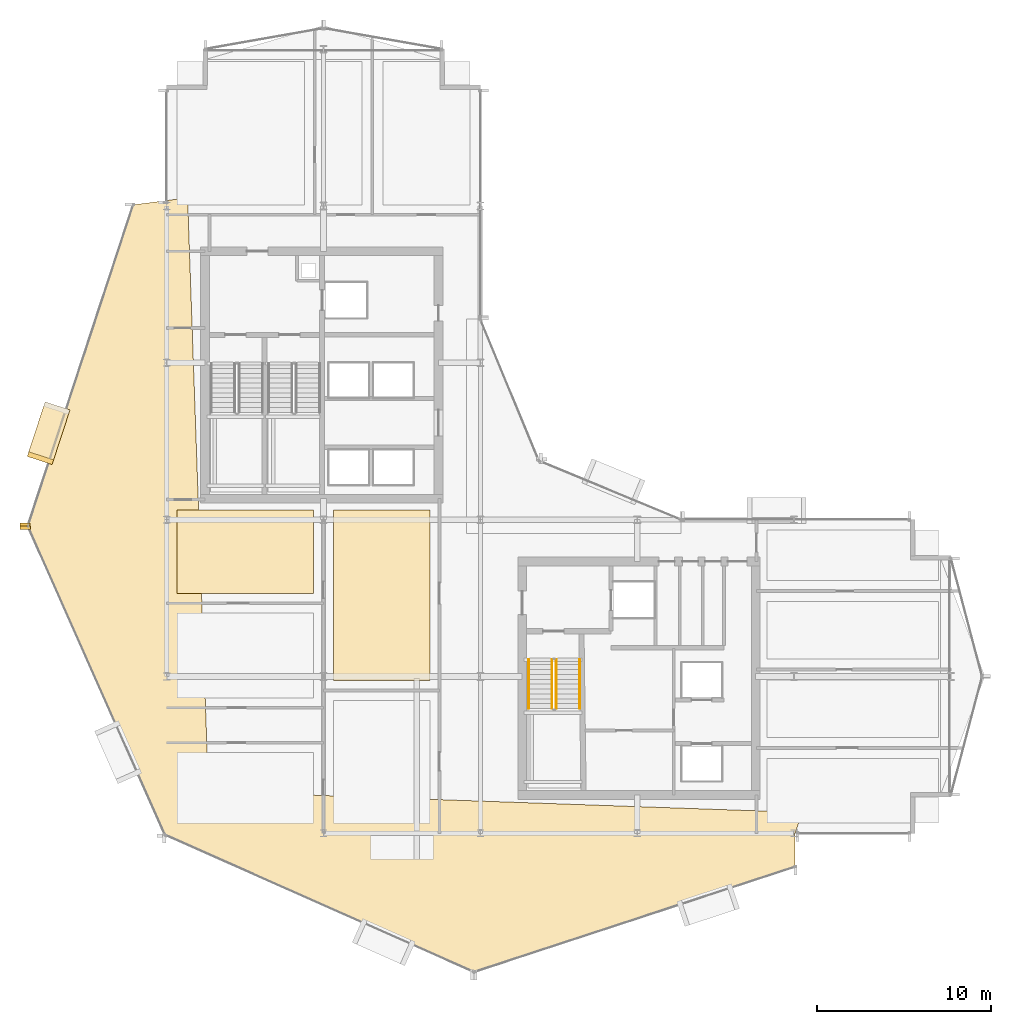
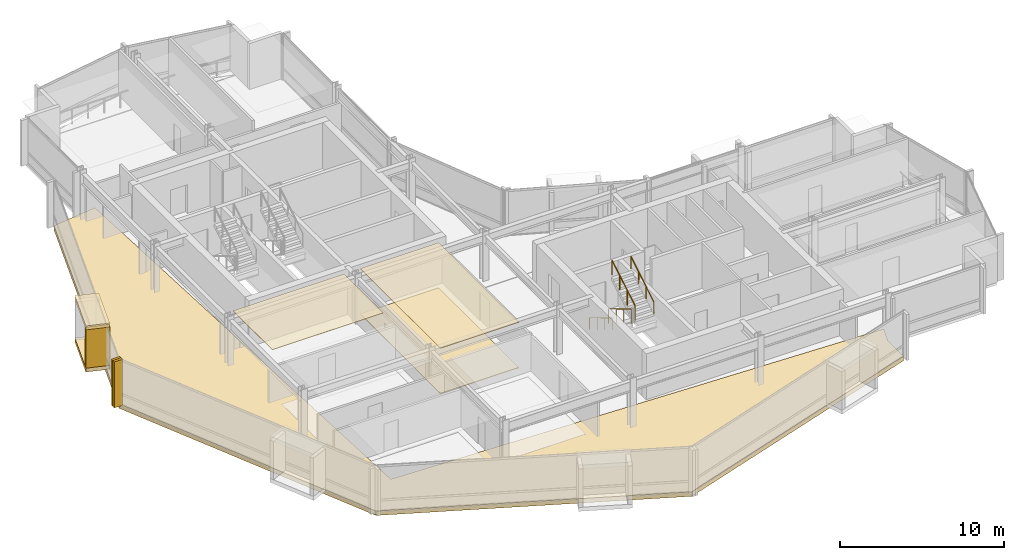
# One storey, part 26 of 29: 9 coverings, 4 railings.
"""IFC4 building model written with IfcOpenShell, lengths in metres."""

from ifc_helpers import new_model, si_unit, direction, frame, origin, origin_2d, place, context, subcontext, project, spatial, polyline, rectangle, circle, outline, extrude, material, layer, layer_set, type_object, element, save


model = new_model("IFC4")

# Units and contexts
model_context = context("Model", 3, precision=1e-05, world=origin(), true_north=direction((0.0, 1.0)))
body_context = subcontext(model_context, "Body", "Model", "MODEL_VIEW")
ifc_project = project(units=[si_unit("LENGTHUNIT", "METRE"), si_unit("AREAUNIT", "SQUARE_METRE"), si_unit("VOLUMEUNIT", "CUBIC_METRE"), si_unit("PLANEANGLEUNIT", "RADIAN"), si_unit("MASSUNIT", "GRAM", prefix="KILO")], contexts=[model_context])

# Site, building, storey
site_placement = place(None, origin())
site = spatial("IfcSite", under=ifc_project, at=site_placement, CompositionType="ELEMENT")
building_placement = place(site_placement, origin())
building = spatial("IfcBuilding", under=site, at=building_placement, Name="Solvaryn Broadcast Tower", CompositionType="ELEMENT")
storey_placement = place(building_placement, frame((0.0, 0.0, 147.0)))
storey = spatial("IfcBuildingStorey", under=building, at=storey_placement, Name="L36", CompositionType="ELEMENT", Elevation=147.0)

# Coverings
ifc_material_1 = material(Name="Micro-Perforated Acoustic Gypsum Ceiling", Category="concrete")
ifc_layer_1 = layer(ifc_material_1, 0.0400390625)
ifc_layer_set_1 = layer_set([ifc_layer_1], Name="CV-CEIL-ACOUSTIC")
covering_type_1 = type_object("IfcCoveringType", Name="CV-CEIL-ACOUSTIC", PredefinedType="CEILING", material=ifc_layer_set_1)
covering_1_placement = place(storey_placement, frame((0.0, 0.0, 3.3798828125)))
element("IfcCovering", 1, at=covering_1_placement, inside=storey, type_object=covering_type_1, Name="L36 Room Acoustic Ceiling 2", PredefinedType="CEILING", context=body_context, shape_type="SweptSolid", body=[
    extrude(outline(polyline([(18.570068359375, 17.77001953125), (24.10009765625, 17.77001953125), (24.10009765625, 27.56005859375), (18.570068359375, 27.56005859375), (18.570068359375, 17.77001953125)])), origin(), (0.0, 0.0, 1.0), 0.0400390625),
])
covering_2_placement = place(storey_placement, frame((0.0, 0.0, 3.3798828125)))
element("IfcCovering", 2, at=covering_2_placement, inside=storey, type_object=covering_type_1, Name="L36 Room Acoustic Ceiling 5", PredefinedType="CEILING", context=body_context, shape_type="SweptSolid", body=[
    extrude(outline(polyline([(9.60009765625, 22.77001953125), (17.429931640625, 22.77001953125), (17.429931640625, 27.56005859375), (9.60009765625, 27.56005859375), (9.60009765625, 22.77001953125)])), origin(), (0.0, 0.0, 1.0), 0.0400390625),
])
ifc_material_2 = material(Name="Newsroom Raised Data Access Flooring", Category="steel")
ifc_layer_2 = layer(ifc_material_2, 0.050048828125)
ifc_layer_set_2 = layer_set([ifc_layer_2], Name="CV-FLOOR-RAISED")
covering_type_2 = type_object("IfcCoveringType", Name="CV-FLOOR-RAISED", PredefinedType="FLOORING", material=ifc_layer_set_2)
covering_3_placement = place(storey_placement, origin())
element("IfcCovering", 3, at=covering_3_placement, inside=storey, type_object=covering_type_2, Name="L36 Room Acoustic Floor Finish 2", PredefinedType="FLOORING", context=body_context, shape_type="SweptSolid", body=[
    extrude(outline(polyline([(18.570068359375, 17.77001953125), (24.10009765625, 17.77001953125), (24.10009765625, 27.56005859375), (18.570068359375, 27.56005859375), (18.570068359375, 17.77001953125)])), origin(), (0.0, 0.0, 1.0), 0.050048828125),
])
ifc_material_3 = material(Name="Glazed Architectural Terracotta Rainscreen Cladding", Category="masonry")
ifc_layer_3 = layer(ifc_material_3, 0.280029296875)
ifc_layer_set_3 = layer_set([ifc_layer_3], Name="CV-TC-CLAD")
covering_type_3 = type_object("IfcCoveringType", Name="CV-TC-CLAD", PredefinedType="CLADDING", material=ifc_layer_set_3)
for number, where, z_axis, x_axis, name in (
    (4, (2.222900390625, 31.9619140625, 3.1298828125), (0.0, 0.0, 1.0), (-0.311671636848, -0.950189870912, 0.0), "L36 Projecting Stone Window Box Hood 1"),
    (5, (2.222900390625, 31.9619140625, -0.01025390625), (0.0, 0.0, 1.0), (-0.311671636848, -0.950189870912, 0.0), "L36 Projecting Stone Window Box Sill 1"),
):
    element("IfcCovering", number, at=place(storey_placement, frame(where, z_axis=z_axis, x_axis=x_axis)), inside=storey, type_object=covering_type_3, Name=name, PredefinedType="CLADDING", context=body_context, shape_type="SweptSolid", body=[
        extrude(rectangle(XDim=3.300048828125, YDim=1.5, at=origin_2d()), origin(), (0.0, 0.0, 1.0), 0.300048828125),
    ])
covering_4_placement = place(storey_placement, frame((1.75244140625, 30.527099609375, 0.27978515625), z_axis=(0.0, 0.0, 1.0), x_axis=(-0.311671636848, -0.950189870912, 0.0)))
element("IfcCovering", 6, at=covering_4_placement, inside=storey, type_object=covering_type_3, Name="L36 Projecting Stone Window Box Cheek 1-2", PredefinedType="CLADDING", context=body_context, shape_type="SweptSolid", body=[
    extrude(rectangle(XDim=0.280029296875, YDim=1.5, at=origin_2d()), origin(), (0.0, 0.0, 1.0), 2.860107421875),
])
ifc_material_4 = material(Name="Extruded Architectural Terracotta Fin", Category="masonry")
ifc_layer_4 = layer(ifc_material_4, 0.179931640625)
ifc_layer_set_4 = layer_set([ifc_layer_4], Name="CV-TC-FIN")
covering_type_4 = type_object("IfcCoveringType", Name="CV-TC-FIN", PredefinedType="USERDEFINED", material=ifc_layer_set_4)
for number, where, z_axis, x_axis, name in (
    (7, (0.872314453125, 26.720703125, 0.0), (0.0, 0.0, 1.0), (1.0, 0.0, 0.0), "L36 Terracotta Vertical Fin FIN-L36-DR1-M01"),
    (8, (0.8818359375, 26.535888671875, 0.0), (0.0, 0.0, 1.0), (1.0, 0.0, 0.0), "L36 Terracotta Vertical Fin FIN-L36-DR2-M00"),
):
    element("IfcCovering", number, at=place(storey_placement, frame(where, z_axis=z_axis, x_axis=x_axis)), inside=storey, type_object=covering_type_4, Name=name, ObjectType="FIN", PredefinedType="USERDEFINED", context=body_context, shape_type="SweptSolid", body=[
        extrude(rectangle(XDim=0.580078125, YDim=0.179931640625, at=origin_2d()), origin(), (0.0, 0.0, 1.0), 3.419921875),
    ])
ifc_material_5 = material(Name="Sculpted Architectural Terracotta Wave Fascia", Category="masonry")
ifc_layer_5 = layer(ifc_material_5, 0.340087890625)
ifc_layer_set_5 = layer_set([ifc_layer_5], Name="CV-WAVE-TRAY")
covering_type_5 = type_object("IfcCoveringType", Name="CV-WAVE-TRAY", PredefinedType="CLADDING", material=ifc_layer_set_5)
covering_5_placement = place(storey_placement, frame((0.0, 0.0, -0.300048828125)))
element("IfcCovering", 9, at=covering_5_placement, inside=storey, type_object=covering_type_5, Name="L36 Stepped Cylindrical Drum Floor Apron", PredefinedType="CLADDING", context=body_context, shape_type="SweptSolid", body=[
    extrude(outline(polyline([(10.199951171875, 45.467041015625), (7.0791015625, 45.06689453125), (1.033935546875, 26.635986328125), (8.907958984375, 8.907958984375), (26.635986328125, 1.033935546875), (45.06689453125, 7.0791015625), (45.06689453125, 9.0), (45.467041015625, 10.199951171875), (11.39990234375, 11.39990234375), (10.199951171875, 45.467041015625)])), origin(), (0.0, 0.0, 1.0), 0.330078125),
])

# Railings
ifc_material_6 = material(Name="Painted Steel Stair Well Guard", Category="steel")
railing_type_1 = type_object("IfcRailingType", Name="RL-STAIR-GUARD", PredefinedType="BALUSTRADE", material=ifc_material_6)
railing_1_placement = place(storey_placement, frame((31.110107421875, 18.9599609375, 0.168212890625)))
element("IfcRailing", 10, at=railing_1_placement, inside=storey, type_object=railing_type_1, Name="L36 ST3 stair guard 1", PredefinedType="BALUSTRADE", context=body_context, shape_type="SweptSolid", body=[
    extrude(circle(Radius=0.02392578125, at=origin_2d()), frame((0.0, 0.0, 1.076171875), z_axis=(0.0, -0.857242210791, 0.514913383045), x_axis=(1.0, 0.0, 0.0)), (0.0, 0.0, 1.0), 3.266357421875),
    extrude(circle(Radius=0.02099609375, at=origin_2d()), origin(), (0.0, 0.0, 1.0), 1.052001953125),
    extrude(circle(Radius=0.02099609375, at=origin_2d()), frame((0.0, -0.933349609375, 0.560546875)), (0.0, 0.0, 1.0), 1.052001953125),
    extrude(circle(Radius=0.02099609375, at=origin_2d()), frame((0.0, -1.86669921875, 1.121337890625)), (0.0, 0.0, 1.0), 1.052001953125),
    extrude(circle(Radius=0.02099609375, at=origin_2d()), frame((0.0, -2.800048828125, 1.681884765625)), (0.0, 0.0, 1.0), 1.052001953125),
])
railing_2_placement = place(storey_placement, frame((31.360107421875, 16.159912109375, 2.01806640625)))
element("IfcRailing", 11, at=railing_2_placement, inside=storey, type_object=railing_type_1, Name="L36 ST3 stair guard 3", PredefinedType="BALUSTRADE", context=body_context, shape_type="SweptSolid", body=[
    extrude(circle(Radius=0.02392578125, at=origin_2d()), frame((0.0, 0.0, 1.076171875), z_axis=(0.0, 0.857242210791, 0.514913383045), x_axis=(-1.0, 0.0, 0.0)), (0.0, 0.0, 1.0), 3.266357421875),
    extrude(circle(Radius=0.02099609375, at=origin_2d()), origin(), (0.0, 0.0, 1.0), 1.052001953125),
    extrude(circle(Radius=0.02099609375, at=origin_2d()), frame((0.0, 0.933349609375, 0.560546875)), (0.0, 0.0, 1.0), 1.052001953125),
    extrude(circle(Radius=0.02099609375, at=origin_2d()), frame((0.0, 1.86669921875, 1.121337890625)), (0.0, 0.0, 1.0), 1.052001953125),
    extrude(circle(Radius=0.02099609375, at=origin_2d()), frame((0.0, 2.800048828125, 1.681884765625)), (0.0, 0.0, 1.0), 1.052001953125),
])
ifc_material_7 = material(Name="Brushed Stainless Steel Tubular Handrail", Category="steel")
railing_type_2 = type_object("IfcRailingType", Name="RL-STAIR-HANDRAIL", PredefinedType="HANDRAIL", material=ifc_material_7)
railing_3_placement = place(storey_placement, frame((29.77001953125, 18.9599609375, 0.168212890625)))
element("IfcRailing", 12, at=railing_3_placement, inside=storey, type_object=railing_type_2, Name="L36 ST3 stair handrail 1", PredefinedType="HANDRAIL", context=body_context, shape_type="SweptSolid", body=[
    extrude(circle(Radius=0.02392578125, at=origin_2d()), frame((0.0, 0.0, 0.8759765625), z_axis=(0.0, -0.857242210791, 0.514913383045), x_axis=(1.0, 0.0, 0.0)), (0.0, 0.0, 1.0), 3.266357421875),
    extrude(circle(Radius=0.02099609375, at=origin_2d()), origin(), (0.0, 0.0, 1.0), 0.851806640625),
    extrude(circle(Radius=0.02099609375, at=origin_2d()), frame((0.0, -0.933349609375, 0.560546875)), (0.0, 0.0, 1.0), 0.851806640625),
    extrude(circle(Radius=0.02099609375, at=origin_2d()), frame((0.0, -1.86669921875, 1.121337890625)), (0.0, 0.0, 1.0), 0.851806640625),
    extrude(circle(Radius=0.02099609375, at=origin_2d()), frame((0.0, -2.800048828125, 1.681884765625)), (0.0, 0.0, 1.0), 0.851806640625),
])
railing_4_placement = place(storey_placement, frame((32.699951171875, 16.159912109375, 2.01806640625)))
element("IfcRailing", 13, at=railing_4_placement, inside=storey, type_object=railing_type_2, Name="L36 ST3 stair handrail 2", PredefinedType="HANDRAIL", context=body_context, shape_type="SweptSolid", body=[
    extrude(circle(Radius=0.02392578125, at=origin_2d()), frame((0.0, 0.0, 0.8759765625), z_axis=(0.0, 0.857242210791, 0.514913383045), x_axis=(-1.0, 0.0, 0.0)), (0.0, 0.0, 1.0), 3.266357421875),
    extrude(circle(Radius=0.02099609375, at=origin_2d()), origin(), (0.0, 0.0, 1.0), 0.851806640625),
    extrude(circle(Radius=0.02099609375, at=origin_2d()), frame((0.0, 0.933349609375, 0.560546875)), (0.0, 0.0, 1.0), 0.851806640625),
    extrude(circle(Radius=0.02099609375, at=origin_2d()), frame((0.0, 1.86669921875, 1.121337890625)), (0.0, 0.0, 1.0), 0.851806640625),
    extrude(circle(Radius=0.02099609375, at=origin_2d()), frame((0.0, 2.800048828125, 1.681884765625)), (0.0, 0.0, 1.0), 0.851806640625),
])

save(model, "model.ifc")
